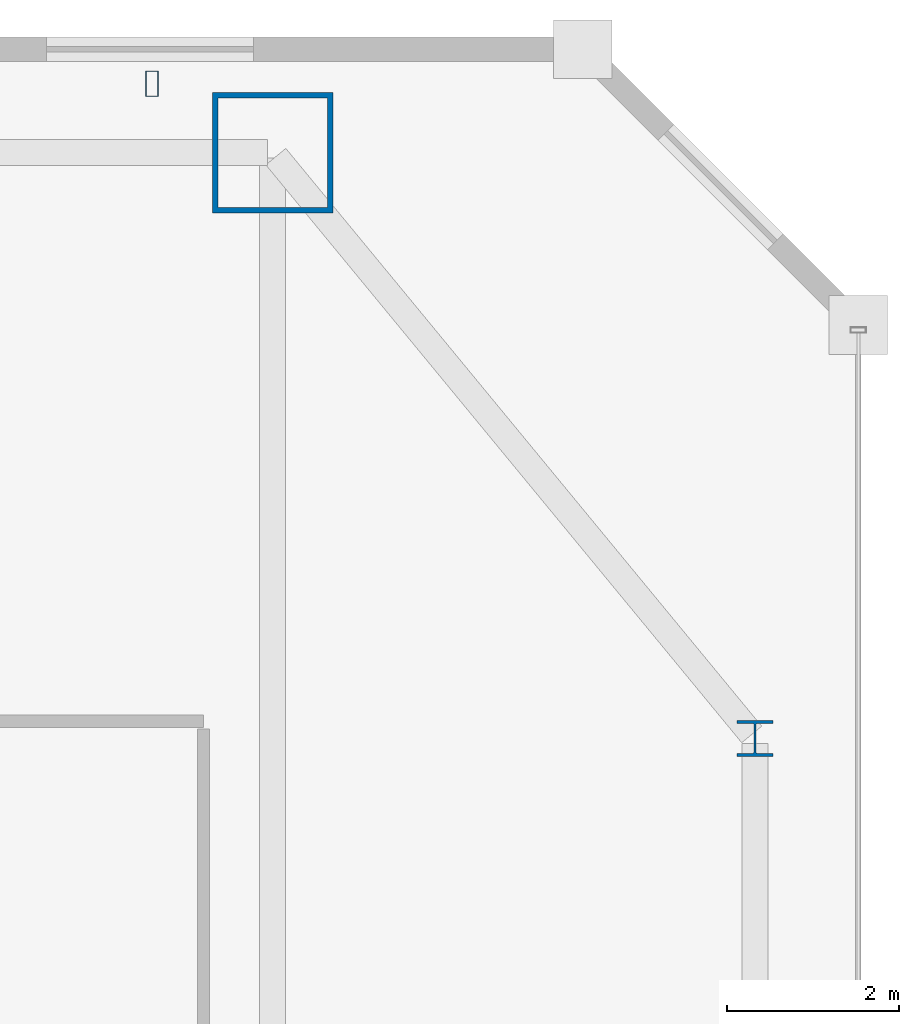
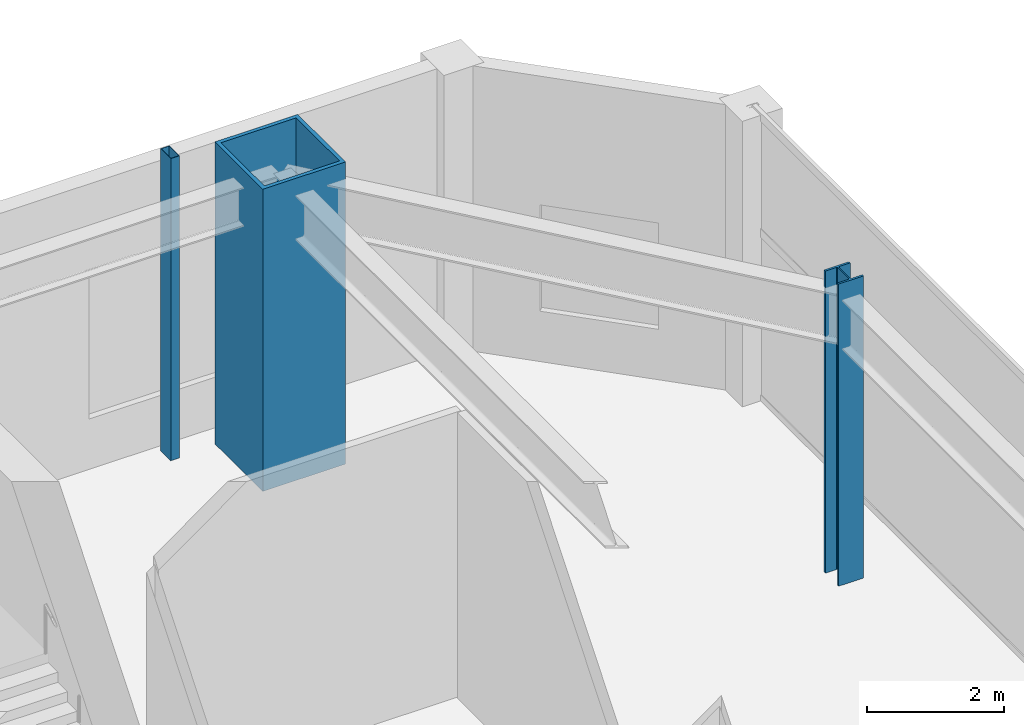
# One storey, part 5 of 52: 3 columns.
"""IFC4 building model written with IfcOpenShell, lengths in metres."""

from ifc_helpers import new_model, si_unit, direction, frame, origin, origin_2d, place, context, subcontext, project, spatial, hollow_rectangle, i_section, extrude, material, material_profile, profile_set, type_object, element, save


model = new_model("IFC4")

# Units and contexts
model_context = context("Model", 3, precision=1e-05, world=origin(), true_north=direction((0.0, 1.0)))
body_context = subcontext(model_context, "Body", "Model", "MODEL_VIEW")
ifc_project = project(units=[si_unit("LENGTHUNIT", "METRE"), si_unit("AREAUNIT", "SQUARE_METRE"), si_unit("VOLUMEUNIT", "CUBIC_METRE"), si_unit("PLANEANGLEUNIT", "RADIAN"), si_unit("MASSUNIT", "GRAM", prefix="KILO")], contexts=[model_context])

# Site, building, storey
site_placement = place(None, origin())
site = spatial("IfcSite", under=ifc_project, at=site_placement, CompositionType="ELEMENT")
building_placement = place(site_placement, origin())
building = spatial("IfcBuilding", under=site, at=building_placement, Name="Saevonmaru Cultural Tower", CompositionType="ELEMENT")
storey_placement = place(building_placement, frame((0.0, 0.0, 11.39990234375)))
storey = spatial("IfcBuildingStorey", under=building, at=storey_placement, Name="L02", CompositionType="ELEMENT", Elevation=11.39990234375)

# Columns
ifc_material_1 = material(Name="Steel HSA600 (600 MPa)", Category="steel")
ifc_material_profile_1 = material_profile(ifc_material_1, hollow_rectangle(XDim=1.39990234375, YDim=1.39990234375, WallThickness=0.06494140625, at=origin_2d()), Name="BOX-1400x1400x65")
ifc_profile_set_1 = profile_set([ifc_material_profile_1], Name="Steel HSA600 (600 MPa)")
column_type_1 = type_object("IfcColumnType", Name="COL-BOX-1400", PredefinedType="COLUMN", material=ifc_profile_set_1)
column_1_placement = place(storey_placement, frame((53.199951171875, 54.800048828125, 0.0), z_axis=(0.0, 0.0, 1.0), x_axis=(1.0, 0.0, 0.0)))
element("IfcColumn", 1, at=column_1_placement, inside=storey, type_object=column_type_1, Name="L02 Column TC-N6N", PredefinedType="COLUMN", context=body_context, shape_type="SweptSolid", body=[
    extrude(hollow_rectangle(XDim=1.39990234375, YDim=1.39990234375, WallThickness=0.06494140625, at=origin_2d()), origin(), (0.0, 0.0, 1.0), 5.400146484375),
])
ifc_material_2 = material(Name="Steel SM420", Category="steel")
ifc_material_profile_2 = material_profile(ifc_material_2, i_section(OverallWidth=0.419921875, OverallDepth=0.419921875, WebThickness=0.02001953125, FlangeThickness=0.034912109375, FilletRadius=0.02197265625, at=origin_2d()), Name="H-428x407x20x35")
ifc_profile_set_2 = profile_set([ifc_material_profile_2], Name="Steel SM420")
column_type_2 = type_object("IfcColumnType", Name="COL-H-428", PredefinedType="COLUMN", material=ifc_profile_set_2)
column_2_placement = place(storey_placement, frame((58.800048828125, 48.0, 0.0), z_axis=(0.0, 0.0, 1.0), x_axis=(1.0, 0.0, 0.0)))
element("IfcColumn", 2, at=column_2_placement, inside=storey, type_object=column_type_2, Name="L02 Column PC-PE-G", PredefinedType="COLUMN", context=body_context, shape_type="SweptSolid", body=[
    extrude(i_section(OverallWidth=0.419921875, OverallDepth=0.419921875, WebThickness=0.02001953125, FlangeThickness=0.034912109375, FilletRadius=0.02197265625, at=origin_2d()), origin(), (0.0, 0.0, 1.0), 5.400146484375),
])
ifc_material_3 = material(Name="Steel SM355", Category="steel")
ifc_material_profile_3 = material_profile(ifc_material_3, hollow_rectangle(XDim=0.14990234375, YDim=0.300048828125, WallThickness=0.010009765625, at=origin_2d()), Name="RHS-300x150x10")
ifc_profile_set_3 = profile_set([ifc_material_profile_3], Name="Steel SM355")
column_type_3 = type_object("IfcColumnType", Name="PIL-RHS-300", PredefinedType="PILASTER", material=ifc_profile_set_3)
column_3_placement = place(storey_placement, frame((51.800048828125, 55.60009765625, 0.0), z_axis=(0.0, 0.0, 1.0), x_axis=(1.0, 0.0, 0.0)))
element("IfcColumn", 3, at=column_3_placement, inside=storey, type_object=column_type_3, Name="L02 Art Deco Bronze-Clad Pilaster PIL-NE", PredefinedType="PILASTER", context=body_context, shape_type="SweptSolid", body=[
    extrude(hollow_rectangle(XDim=0.14990234375, YDim=0.300048828125, WallThickness=0.010009765625, at=origin_2d()), origin(), (0.0, 0.0, 1.0), 5.400146484375),
])

save(model, "model.ifc")
